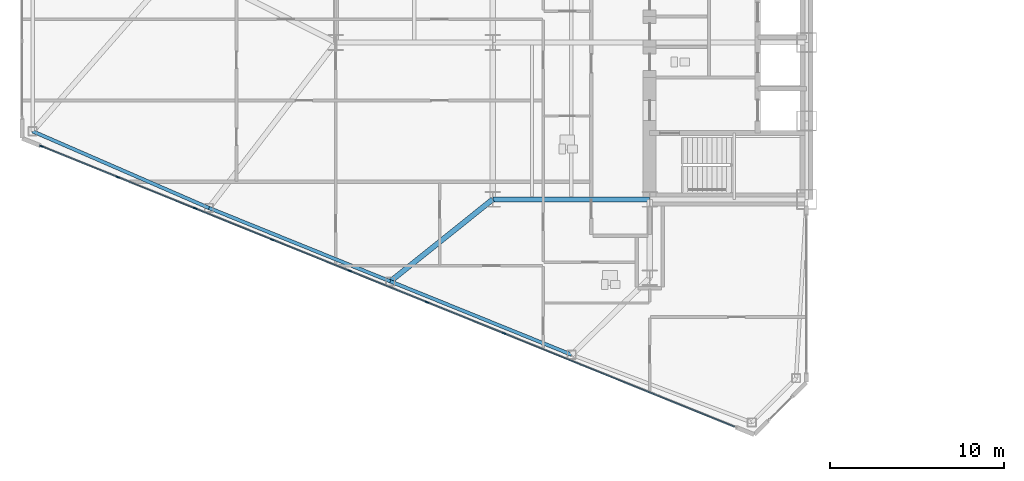
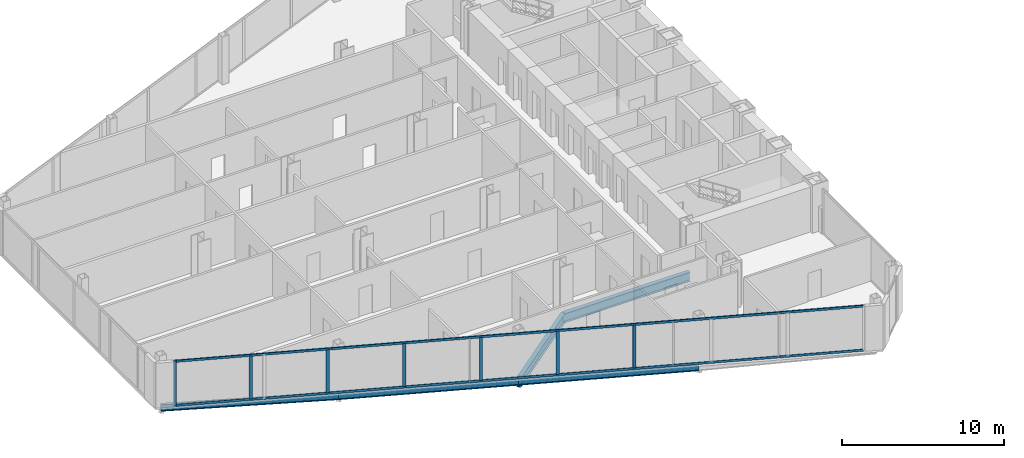
# One storey, part 3 of 25: 9 members, 5 beams, 1 element without a shape of its own.
"""IFC4 building model written with IfcOpenShell, lengths in metres."""

from ifc_helpers import new_model, si_unit, direction, frame, origin, origin_2d, place, context, subcontext, project, spatial, rectangle, i_section, extrude, source, transform, mapped, material, layer, layer_set, material_profile, profile_set, type_object, type_shapes, element, aggregate, save


model = new_model("IFC4")

# Units and contexts
model_context = context("Model", 3, precision=1e-05, world=origin(), true_north=direction((0.0, 1.0)))
body_context = subcontext(model_context, "Body", "Model", "MODEL_VIEW")
ifc_project = project(units=[si_unit("LENGTHUNIT", "METRE"), si_unit("AREAUNIT", "SQUARE_METRE"), si_unit("VOLUMEUNIT", "CUBIC_METRE"), si_unit("PLANEANGLEUNIT", "RADIAN"), si_unit("MASSUNIT", "GRAM", prefix="KILO")], contexts=[model_context])

# Site, building, storey
site_placement = place(None, origin())
site = spatial("IfcSite", under=ifc_project, at=site_placement, CompositionType="ELEMENT")
building_placement = place(site_placement, origin())
building = spatial("IfcBuilding", under=site, at=building_placement, Name="Seokmaru Belvedere", CompositionType="ELEMENT")
storey_placement = place(building_placement, frame((0.0, 0.0, 58.5)))
storey = spatial("IfcBuildingStorey", under=building, at=storey_placement, Name="L15", CompositionType="ELEMENT", Elevation=58.5)

# Beams
ifc_material_1 = material(Name="Steel SM355 (355 MPa)", Category="steel")
ifc_material_profile_1 = material_profile(ifc_material_1, i_section(OverallWidth=0.300048828125, OverallDepth=0.699951171875, WebThickness=0.012939453125, FlangeThickness=0.02392578125, at=origin_2d()), Name="H-700x300x13x24")
ifc_profile_set_1 = profile_set([ifc_material_profile_1], Name="Steel SM355 (355 MPa)")
beam_type_1 = type_object("IfcBeamType", Name="Primary Floor Girder H-700", PredefinedType="BEAM", material=ifc_profile_set_1)
shared_shape_1 = source(origin(), body_context, "Body", "SweptSolid", [
    extrude(i_section(OverallWidth=0.300048828125, OverallDepth=0.699951171875, WebThickness=0.012939453125, FlangeThickness=0.02392578125, at=origin_2d()), origin(), (0.0, 0.0, 1.0), 9.0),
])
beam_1_placement = place(storey_placement, frame((-45.5, -13.5, -0.570068359375), z_axis=(1.0, 0.0, 0.0), x_axis=(0.0, 1.0, 0.0)))
element("IfcBeam", 1, at=beam_1_placement, inside=storey, type_object=beam_type_1, Name="L15 W Wing Primary Girder 1", PredefinedType="BEAM", context=body_context, shape_type="MappedRepresentation", body=[
    mapped(shared_shape_1, transform((0.0, 0.0, 0.0), scale=1.0)),
])
ifc_material_profile_2 = material_profile(ifc_material_1, i_section(OverallWidth=0.199951171875, OverallDepth=0.5, WebThickness=0.010009765625, FlangeThickness=0.01611328125, at=origin_2d()), Name="H-500x200x10x16")
ifc_profile_set_2 = profile_set([ifc_material_profile_2], Name="Steel SM355 (355 MPa)")
beam_type_2 = type_object("IfcBeamType", Name="Perimeter Spandrel Beam H-500", PredefinedType="SPANDREL", material=ifc_profile_set_2)
shared_shape_2 = source(origin(), body_context, "Body", "SweptSolid", [
    extrude(i_section(OverallWidth=0.199951171875, OverallDepth=0.5, WebThickness=0.010009765625, FlangeThickness=0.01611328125, at=origin_2d()), origin(), (0.0, 0.0, 1.0), 11.220703125),
])
for number, where, z_axis, x_axis, name in (
    (2, (-40.977294921875, -22.4140625, -0.469970703125), (-0.926944290816, 0.375198989503, 0.0), (-0.375198989503, -0.926944290816, 0.0), "L15 W Faceted Flank Spandrel S-2"),
    (3, (-51.378173828125, -18.2041015625, -0.469970703125), (-0.926944290816, 0.375198989503, 0.0), (-0.375198989503, -0.926944290816, 0.0), "L15 W Faceted Flank Spandrel S-3"),
):
    element("IfcBeam", number, at=place(storey_placement, frame(where, z_axis=z_axis, x_axis=x_axis)), inside=storey, type_object=beam_type_2, Name=name, PredefinedType="SPANDREL", context=body_context, shape_type="MappedRepresentation", body=[
        mapped(shared_shape_2, transform((0.0, 0.0, 0.0), scale=1.0)),
    ])
shared_shape_3 = source(origin(), body_context, "Body", "SweptSolid", [
    extrude(i_section(OverallWidth=0.199951171875, OverallDepth=0.5, WebThickness=0.010009765625, FlangeThickness=0.01611328125, at=origin_2d()), origin(), (0.0, 0.0, 1.0), 11.035400390625),
])
type_shapes(beam_type_2, [shared_shape_2, shared_shape_3])
beam_2_placement = place(storey_placement, frame((-61.779052734375, -13.994140625, -0.469970703125), z_axis=(-0.917134058682, 0.398578873507, 0.0), x_axis=(-0.398578873507, -0.917134058682, 0.0)))
element("IfcBeam", 4, at=beam_2_placement, inside=storey, type_object=beam_type_2, Name="L15 W Faceted Flank Spandrel S-4", PredefinedType="SPANDREL", context=body_context, shape_type="MappedRepresentation", body=[
    mapped(shared_shape_3, transform((0.0, 0.0, 0.0), scale=1.0)),
])
shared_shape_4 = source(origin(), body_context, "Body", "SweptSolid", [
    extrude(i_section(OverallWidth=0.300048828125, OverallDepth=0.699951171875, WebThickness=0.012939453125, FlangeThickness=0.02392578125, at=origin_2d()), origin(), (0.0, 0.0, 1.0), 7.52880859375),
])
type_shapes(beam_type_1, [shared_shape_1, shared_shape_4])
beam_3_placement = place(storey_placement, frame((-51.378173828125, -18.2041015625, -0.570068359375), z_axis=(0.780767560736, 0.624821587418, 0.0), x_axis=(-0.624821587418, 0.780767560736, 0.0)))
element("IfcBeam", 5, at=beam_3_placement, inside=storey, type_object=beam_type_1, Name="L15 W Flank Radial Floor Girder S-2", PredefinedType="BEAM", context=body_context, shape_type="MappedRepresentation", body=[
    mapped(shared_shape_4, transform((0.0, 0.0, 0.0), scale=1.0)),
])

# Curtain wall, members
ifc_material_2 = material(Name="Bronze Triple Insulating Glass", Category="glass")
ifc_layer = layer(ifc_material_2, 0.2099609375)
ifc_layer_set = layer_set([ifc_layer], Name="Bronze Triple Insulating Glass")
curtain_wall_type = type_object("IfcCurtainWallType", Name="Low-Rise Faceted Crystal Curtain Wall System CW-2", PredefinedType="NOTDEFINED", material=ifc_layer_set)
curtain_wall_placement = place(storey_placement, origin())
curtain_wall = element("IfcCurtainWall", 6, at=curtain_wall_placement, inside=storey, type_object=curtain_wall_type, Name="L15 Curtain Wall WF5", PredefinedType="NOTDEFINED")
ifc_material_3 = material(Name="Anodised Bronze Aluminium", Category="aluminium")
ifc_material_profile_3 = material_profile(ifc_material_3, rectangle(XDim=0.074951171875, YDim=0.2099609375, at=origin_2d()), Name="CW-M-75x210")
ifc_profile_set_3 = profile_set([ifc_material_profile_3], Name="Anodised Bronze Aluminium")
member_type_1 = type_object("IfcMemberType", Name="Bronze Unitised Mullion 75x210", PredefinedType="MULLION", material=ifc_profile_set_3)
shared_shape_5 = source(origin(), body_context, "Body", "SweptSolid", [
    extrude(rectangle(XDim=0.074951171875, YDim=0.2099609375, at=origin_2d()), origin(), (0.0, 0.0, 1.0), 3.239990234375),
])
member_1_placement = place(storey_placement, frame((-67.004150390625, -12.224609375, 0.070068359375), z_axis=(0.0, 0.0, 1.0), x_axis=(0.375192321888, 0.926946989637, 0.0)))
member_1 = element("IfcMember", 7, at=member_1_placement, type_object=member_type_1, Name="CW:L15:WF5 Mullion 2", PredefinedType="MULLION", context=body_context, shape_type="MappedRepresentation", body=[
    mapped(shared_shape_5, transform((0.0, 0.0, 0.0), scale=1.0)),
])
member_2_placement = place(storey_placement, frame((-62.574462890625, -14.017578125, 0.070068359375), z_axis=(0.0, 0.0, 1.0), x_axis=(0.375192321888, 0.926946989637, 0.0)))
member_2 = element("IfcMember", 8, at=member_2_placement, type_object=member_type_1, Name="CW:L15:WF5 Mullion 3", PredefinedType="MULLION", context=body_context, shape_type="MappedRepresentation", body=[
    mapped(shared_shape_5, transform((0.0, 0.0, 0.0), scale=1.0)),
])
member_3_placement = place(storey_placement, frame((-58.144775390625, -15.810546875, 0.070068359375), z_axis=(0.0, 0.0, 1.0), x_axis=(0.375192321888, 0.926946989637, 0.0)))
member_3 = element("IfcMember", 9, at=member_3_placement, type_object=member_type_1, Name="CW:L15:WF5 Mullion 4", PredefinedType="MULLION", context=body_context, shape_type="MappedRepresentation", body=[
    mapped(shared_shape_5, transform((0.0, 0.0, 0.0), scale=1.0)),
])
member_4_placement = place(storey_placement, frame((-53.71484375, -17.603515625, 0.070068359375), z_axis=(0.0, 0.0, 1.0), x_axis=(0.375192321888, 0.926946989637, 0.0)))
member_4 = element("IfcMember", 10, at=member_4_placement, type_object=member_type_1, Name="CW:L15:WF5 Mullion 5", PredefinedType="MULLION", context=body_context, shape_type="MappedRepresentation", body=[
    mapped(shared_shape_5, transform((0.0, 0.0, 0.0), scale=1.0)),
])
member_5_placement = place(storey_placement, frame((-49.28515625, -19.396484375, 0.070068359375), z_axis=(0.0, 0.0, 1.0), x_axis=(0.375192321888, 0.926946989637, 0.0)))
member_5 = element("IfcMember", 11, at=member_5_placement, type_object=member_type_1, Name="CW:L15:WF5 Mullion 6", PredefinedType="MULLION", context=body_context, shape_type="MappedRepresentation", body=[
    mapped(shared_shape_5, transform((0.0, 0.0, 0.0), scale=1.0)),
])
member_6_placement = place(storey_placement, frame((-44.855224609375, -21.189453125, 0.070068359375), z_axis=(0.0, 0.0, 1.0), x_axis=(0.375192321888, 0.926946989637, 0.0)))
member_6 = element("IfcMember", 12, at=member_6_placement, type_object=member_type_1, Name="CW:L15:WF5 Mullion 7", PredefinedType="MULLION", context=body_context, shape_type="MappedRepresentation", body=[
    mapped(shared_shape_5, transform((0.0, 0.0, 0.0), scale=1.0)),
])
ifc_material_profile_4 = material_profile(ifc_material_3, rectangle(XDim=0.070068359375, YDim=0.1650390625, at=origin_2d()), Name="CW-T-70x165")
ifc_profile_set_4 = profile_set([ifc_material_profile_4], Name="Anodised Bronze Aluminium")
member_type_2 = type_object("IfcMemberType", Name="Bronze Unitised Transom 70x165", PredefinedType="USERDEFINED", material=ifc_profile_set_4)
shared_shape_6 = source(origin(), body_context, "Body", "SweptSolid", [
    extrude(rectangle(XDim=0.070068359375, YDim=0.1650390625, at=origin_2d()), origin(), (0.0, 0.0, 1.0), 42.860107421875),
])
type_shapes(member_type_2, [shared_shape_6])
member_7_placement = place(storey_placement, frame((-71.364501953125, -10.459716796875, 0.034912109375), z_axis=(0.926948605599, -0.375188329481, 0.0), x_axis=(0.375188329481, 0.926948605599, 0.0)))
member_7 = element("IfcMember", 13, at=member_7_placement, type_object=member_type_2, Name="CW:L15:WF5 Continuous Transom 1", ObjectType="TRANSOM", PredefinedType="USERDEFINED", context=body_context, shape_type="MappedRepresentation", body=[
    mapped(shared_shape_6, transform((0.0, 0.0, 0.0), scale=1.0)),
])
member_8_placement = place(storey_placement, frame((-71.364501953125, -10.459716796875, 3.344970703125), z_axis=(0.926948605599, -0.375188329481, 0.0), x_axis=(0.375188329481, 0.926948605599, 0.0)))
member_8 = element("IfcMember", 14, at=member_8_placement, type_object=member_type_2, Name="CW:L15:WF5 Continuous Transom 2", ObjectType="TRANSOM", PredefinedType="USERDEFINED", context=body_context, shape_type="MappedRepresentation", body=[
    mapped(shared_shape_6, transform((0.0, 0.0, 0.0), scale=1.0)),
])
shared_shape_7 = source(origin(), body_context, "Body", "SweptSolid", [
    extrude(rectangle(XDim=0.074951171875, YDim=0.2099609375, at=origin_2d()), origin(), (0.0, 0.0, 1.0), 3.3798828125),
])
type_shapes(member_type_1, [shared_shape_5, shared_shape_7])
member_9_placement = place(storey_placement, frame((-71.399169921875, -10.445556640625, 0.0), z_axis=(0.0, 0.0, 1.0), x_axis=(0.375192321888, 0.926946989637, 0.0)))
member_9 = element("IfcMember", 15, at=member_9_placement, type_object=member_type_1, Name="CW:L15:WF5 Mullion 1", PredefinedType="MULLION", context=body_context, shape_type="MappedRepresentation", body=[
    mapped(shared_shape_7, transform((0.0, 0.0, 0.0), scale=1.0)),
])
aggregate(curtain_wall, [member_9, member_1, member_2, member_3, member_4, member_5, member_6, member_7, member_8])

save(model, "model.ifc")
